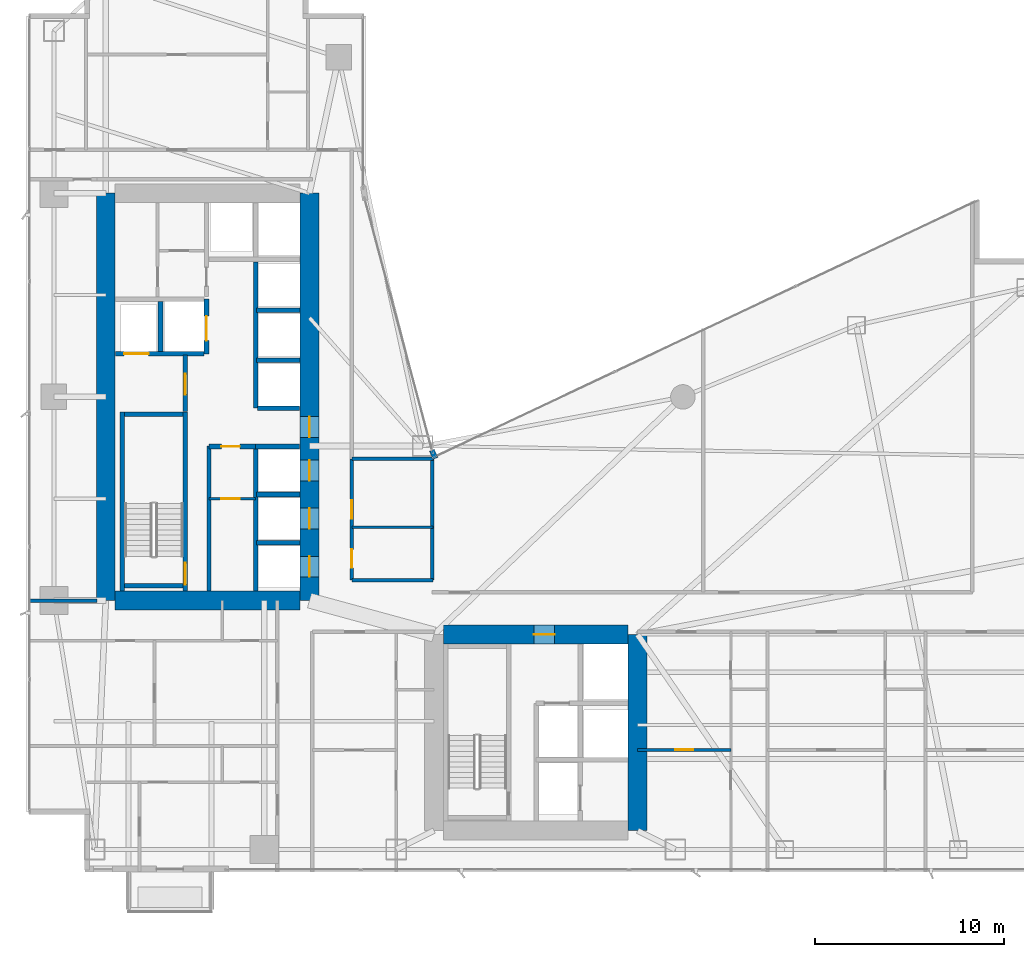
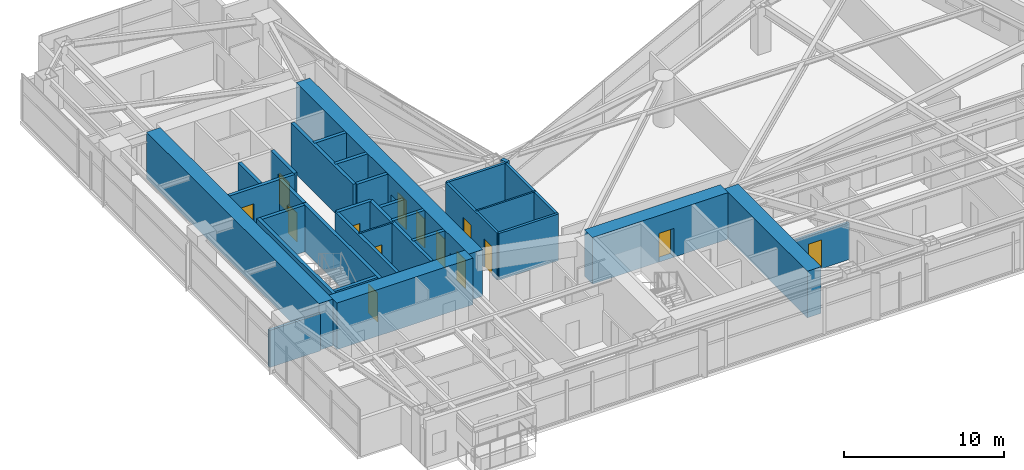
# One storey, part 23 of 30: 32 walls, 14 doors, 14 openings.
"""IFC4 building model written with IfcOpenShell, lengths in metres."""

from ifc_helpers import new_model, si_unit, direction, frame, frame_2d, origin, place, context, subcontext, project, spatial, rectangle, extrude, material, layer, layer_set, type_object, element, fill, save


model = new_model("IFC4")

# Units and contexts
model_context = context("Model", 3, precision=1e-05, world=origin(), true_north=direction((0.0, 1.0)))
body_context = subcontext(model_context, "Body", "Model", "MODEL_VIEW")
ifc_project = project(units=[si_unit("LENGTHUNIT", "METRE"), si_unit("AREAUNIT", "SQUARE_METRE"), si_unit("VOLUMEUNIT", "CUBIC_METRE"), si_unit("PLANEANGLEUNIT", "RADIAN"), si_unit("MASSUNIT", "GRAM", prefix="KILO")], contexts=[model_context])

# Site, building, storey
site_placement = place(None, origin())
site = spatial("IfcSite", under=ifc_project, at=site_placement, CompositionType="ELEMENT")
building_placement = place(site_placement, origin())
building = spatial("IfcBuilding", under=site, at=building_placement, Name="Calvorn Quay Hotel", CompositionType="ELEMENT")
storey_placement = place(building_placement, frame((0.0, 0.0, 27.0)))
storey = spatial("IfcBuildingStorey", under=building, at=storey_placement, Name="L05", CompositionType="ELEMENT", Elevation=27.0)

# Wall
ifc_material_1 = material(Name="Concrete C60", Category="concrete")
ifc_layer_1 = layer(ifc_material_1, 1.0)
ifc_layer_set_1 = layer_set([ifc_layer_1], Name="WL-CORE-1000")
wall_type_1 = type_object("IfcWallType", Name="WL-CORE-1000", PredefinedType="SHEAR", material=ifc_layer_set_1)
wall_1_placement = place(storey_placement, frame((4.199951171875, 16.800048828125, 0.0), z_axis=(0.0, 0.0, 1.0), x_axis=(0.0, 1.0, 0.0)))
element("IfcWall", 1, at=wall_1_placement, inside=storey, type_object=wall_type_1, Name="West Core Shear Wall W (L05)", PredefinedType="SHEAR", context=body_context, shape_type="SweptSolid", body=[
    extrude(rectangle(XDim=21.599853515625, YDim=1.0, at=frame_2d((10.7998046875, 0.0))), origin(), (0.0, 0.0, 1.0), 3.56005859375),
])

# Wall, openings, doors
wall_2_placement = place(storey_placement, frame((15.0, 16.800048828125, 0.0), z_axis=(0.0, 0.0, 1.0), x_axis=(0.0, 1.0, 0.0)))
wall_2 = element("IfcWall", 2, at=wall_2_placement, inside=storey, type_object=wall_type_1, Name="West Core Shear Wall E (L05)", PredefinedType="SHEAR", context=body_context, shape_type="SweptSolid", body=[
    extrude(rectangle(XDim=21.599853515625, YDim=1.0, at=frame_2d((10.7998046875, 0.0))), origin(), (0.0, 0.0, 1.0), 3.56005859375),
])
opening_1_placement = place(wall_2_placement, frame((8.64990234375, 0.0, 0.0)))
opening_1 = element("IfcOpeningElement", 3, at=opening_1_placement, cuts=wall_2, Name="Opening D-L05-CW1", PredefinedType="OPENING", context=body_context, shape_type="SweptSolid", body=[
    extrude(rectangle(XDim=1.10009765625, YDim=2.199951171875, at=frame_2d((0.550048828125, 1.10009765625))), frame((0.0, 0.510009765625, 0.0), z_axis=(0.0, -1.0, 0.0), x_axis=(1.0, 0.0, 0.0)), (0.0, 0.0, 1.0), 1.02001953125),
])
opening_2_placement = place(wall_2_placement, frame((1.25, 0.0, 0.0)))
opening_2 = element("IfcOpeningElement", 4, at=opening_2_placement, cuts=wall_2, Name="Opening LD-L05-L1", PredefinedType="OPENING", context=body_context, shape_type="SweptSolid", body=[
    extrude(rectangle(XDim=1.10009765625, YDim=2.199951171875, at=frame_2d((0.550048828125, 1.10009765625))), frame((0.0, 0.510009765625, 0.0), z_axis=(0.0, -1.0, 0.0), x_axis=(1.0, 0.0, 0.0)), (0.0, 0.0, 1.0), 1.02001953125),
])
opening_3_placement = place(wall_2_placement, frame((3.800048828125, 0.0, 0.0)))
opening_3 = element("IfcOpeningElement", 5, at=opening_3_placement, cuts=wall_2, Name="Opening LD-L05-L2", PredefinedType="OPENING", context=body_context, shape_type="SweptSolid", body=[
    extrude(rectangle(XDim=1.10009765625, YDim=2.199951171875, at=frame_2d((0.550048828125, 1.10009765625))), frame((0.0, 0.510009765625, 0.0), z_axis=(0.0, -1.0, 0.0), x_axis=(1.0, 0.0, 0.0)), (0.0, 0.0, 1.0), 1.02001953125),
])
opening_4_placement = place(wall_2_placement, frame((6.35009765625, 0.0, 0.0)))
opening_4 = element("IfcOpeningElement", 6, at=opening_4_placement, cuts=wall_2, Name="Opening LD-L05-L3", PredefinedType="OPENING", context=body_context, shape_type="SweptSolid", body=[
    extrude(rectangle(XDim=1.10009765625, YDim=2.199951171875, at=frame_2d((0.550048828125, 1.10009765625))), frame((0.0, 0.510009765625, 0.0), z_axis=(0.0, -1.0, 0.0), x_axis=(1.0, 0.0, 0.0)), (0.0, 0.0, 1.0), 1.02001953125),
])
ifc_material_2 = material(Name="Smoke-Sealed Steel Class A Fire Door", Category="steel")
door_type_1 = type_object("IfcDoorType", Name="DR-FFLOBBY-1100", OperationType="NOTDEFINED", PredefinedType="DOOR", material=ifc_material_2)
door_1_placement = place(opening_1_placement, origin())
door_1 = element("IfcDoor", 7, at=door_1_placement, inside=storey, type_object=door_type_1, Name="West Core Vestibule Fire Door (L05)", OperationType="SINGLE_SWING_RIGHT", OverallHeight=2.199951171875, OverallWidth=1.10009765625, PredefinedType="DOOR", context=body_context, shape_type="SweptSolid", body=[
    extrude(rectangle(XDim=1.10009765625, YDim=2.199951171875, at=frame_2d((0.550048828125, 1.10009765625))), frame((0.0, 0.02490234375, 0.0), z_axis=(0.0, -1.0, 0.0), x_axis=(1.0, 0.0, 0.0)), (0.0, 0.0, 1.0), 0.050048828125),
])
fill(opening_1, door_1)
ifc_material_3 = material(Name="Brushed Stainless Steel Sliding Lift Landing Door", Category="steel")
door_type_2 = type_object("IfcDoorType", Name="DR-LIFT-PASS-1100", OperationType="NOTDEFINED", PredefinedType="DOOR", material=ifc_material_3)
door_2_placement = place(opening_2_placement, origin())
door_2 = element("IfcDoor", 8, at=door_2_placement, inside=storey, type_object=door_type_2, Name="Low-Rise Lift PL-L1 Landing Door (L05)", OperationType="DOUBLE_DOOR_SLIDING", OverallHeight=2.199951171875, OverallWidth=1.10009765625, PredefinedType="DOOR", context=body_context, shape_type="SweptSolid", body=[
    extrude(rectangle(XDim=1.10009765625, YDim=2.199951171875, at=frame_2d((0.550048828125, 1.10009765625))), frame((0.0, 0.02490234375, 0.0), z_axis=(0.0, -1.0, 0.0), x_axis=(1.0, 0.0, 0.0)), (0.0, 0.0, 1.0), 0.050048828125),
])
fill(opening_2, door_2)
door_3_placement = place(opening_3_placement, origin())
door_3 = element("IfcDoor", 9, at=door_3_placement, inside=storey, type_object=door_type_2, Name="Low-Rise Lift PL-L2 Landing Door (L05)", OperationType="DOUBLE_DOOR_SLIDING", OverallHeight=2.199951171875, OverallWidth=1.10009765625, PredefinedType="DOOR", context=body_context, shape_type="SweptSolid", body=[
    extrude(rectangle(XDim=1.10009765625, YDim=2.199951171875, at=frame_2d((0.550048828125, 1.10009765625))), frame((0.0, 0.02490234375, 0.0), z_axis=(0.0, -1.0, 0.0), x_axis=(1.0, 0.0, 0.0)), (0.0, 0.0, 1.0), 0.050048828125),
])
fill(opening_3, door_3)
door_4_placement = place(opening_4_placement, origin())
door_4 = element("IfcDoor", 10, at=door_4_placement, inside=storey, type_object=door_type_2, Name="Low-Rise Lift PL-L3 Landing Door (L05)", OperationType="DOUBLE_DOOR_SLIDING", OverallHeight=2.199951171875, OverallWidth=1.10009765625, PredefinedType="DOOR", context=body_context, shape_type="SweptSolid", body=[
    extrude(rectangle(XDim=1.10009765625, YDim=2.199951171875, at=frame_2d((0.550048828125, 1.10009765625))), frame((0.0, 0.02490234375, 0.0), z_axis=(0.0, -1.0, 0.0), x_axis=(1.0, 0.0, 0.0)), (0.0, 0.0, 1.0), 0.050048828125),
])
fill(opening_4, door_4)

# Walls
wall_3_placement = place(storey_placement, frame((4.699951171875, 16.800048828125, 0.0), z_axis=(0.0, 0.0, 1.0), x_axis=(1.0, 0.0, 0.0)))
element("IfcWall", 11, at=wall_3_placement, inside=storey, type_object=wall_type_1, Name="West Core Shear Wall S (L05)", PredefinedType="SHEAR", context=body_context, shape_type="SweptSolid", body=[
    extrude(rectangle(XDim=9.800048828125, YDim=1.0, at=frame_2d((4.89990234375, 0.0))), origin(), (0.0, 0.0, 1.0), 3.56005859375),
])
wall_4_placement = place(storey_placement, frame((32.39990234375, 4.60009765625, 0.0), z_axis=(0.0, 0.0, 1.0), x_axis=(0.0, 1.0, 0.0)))
element("IfcWall", 12, at=wall_4_placement, inside=storey, type_object=wall_type_1, Name="East Core Shear Wall E (L05)", PredefinedType="SHEAR", context=body_context, shape_type="SweptSolid", body=[
    extrude(rectangle(XDim=10.39990234375, YDim=1.0, at=frame_2d((5.199951171875, 0.0))), origin(), (0.0, 0.0, 1.0), 3.56005859375),
])

# Wall, opening, door
wall_5_placement = place(storey_placement, frame((22.10009765625, 15.0, 0.0), z_axis=(0.0, 0.0, 1.0), x_axis=(1.0, 0.0, 0.0)))
wall_5 = element("IfcWall", 13, at=wall_5_placement, inside=storey, type_object=wall_type_1, Name="East Core Shear Wall N (L05)", PredefinedType="SHEAR", context=body_context, shape_type="SweptSolid", body=[
    extrude(rectangle(XDim=9.7998046875, YDim=1.0, at=frame_2d((4.89990234375, 0.0))), origin(), (0.0, 0.0, 1.0), 3.56005859375),
])
opening_5_placement = place(wall_5_placement, frame((4.800048828125, 0.0, 0.0)))
opening_5 = element("IfcOpeningElement", 14, at=opening_5_placement, cuts=wall_5, Name="Opening D-L05-FLE", PredefinedType="OPENING", context=body_context, shape_type="SweptSolid", body=[
    extrude(rectangle(XDim=1.10009765625, YDim=2.199951171875, at=frame_2d((0.550048828125, 1.10009765625))), frame((0.0, 0.510009765625, 0.0), z_axis=(0.0, -1.0, 0.0), x_axis=(1.0, 0.0, 0.0)), (0.0, 0.0, 1.0), 1.02001953125),
])
door_5_placement = place(opening_5_placement, origin())
door_5 = element("IfcDoor", 15, at=door_5_placement, inside=storey, type_object=door_type_1, Name="East Firefighting Lobby Fire Door (L05)", OperationType="SINGLE_SWING_LEFT", OverallHeight=2.199951171875, OverallWidth=1.10009765625, PredefinedType="DOOR", context=body_context, shape_type="SweptSolid", body=[
    extrude(rectangle(XDim=1.10009765625, YDim=2.199951171875, at=frame_2d((0.550048828125, 1.10009765625))), frame((0.0, 0.02490234375, 0.0), z_axis=(0.0, -1.0, 0.0), x_axis=(1.0, 0.0, 0.0)), (0.0, 0.0, 1.0), 0.050048828125),
])
fill(opening_5, door_5)

# Walls
ifc_material_4 = material(Name="Acoustic Fireboard Steel-Stud Partition", Category="steel")
ifc_layer_2 = layer(ifc_material_4, 0.179931640625)
ifc_layer_set_2 = layer_set([ifc_layer_2], Name="WL-CORR-FIRE-180")
wall_type_2 = type_object("IfcWallType", Name="WL-CORR-FIRE-180", PredefinedType="PARTITIONING", material=ifc_layer_set_2)
wall_6_placement = place(storey_placement, frame((0.080078125, 16.800048828125, 0.0), z_axis=(0.0, 0.0, 1.0), x_axis=(1.0, 0.0, 0.0)))
element("IfcWall", 16, at=wall_6_placement, inside=storey, type_object=wall_type_2, Name="Partition Wall L05-WL-WBAY-S-WALL", PredefinedType="PARTITIONING", context=body_context, shape_type="SweptSolid", body=[
    extrude(rectangle(XDim=3.64990234375, YDim=0.179931640625, at=frame_2d((1.824951171875, 0.0))), origin(), (0.0, 0.0, 1.0), 2.840087890625),
])
wall_7_placement = place(storey_placement, frame((17.25, 17.8798828125, 0.0), z_axis=(0.0, 0.0, 1.0), x_axis=(1.0, 0.0, 0.0)))
element("IfcWall", 17, at=wall_7_placement, inside=storey, type_object=wall_type_2, Name="Partition Wall L05-WL-HK-S", PredefinedType="PARTITIONING", context=body_context, shape_type="SweptSolid", body=[
    extrude(rectangle(XDim=4.300048828125, YDim=0.179931640625, at=frame_2d((2.14990234375, 0.0))), origin(), (0.0, 0.0, 1.0), 3.56005859375),
])
wall_8_placement = place(storey_placement, frame((17.25, 24.320068359375, 0.0), z_axis=(0.0, 0.0, 1.0), x_axis=(1.0, 0.0, 0.0)))
element("IfcWall", 18, at=wall_8_placement, inside=storey, type_object=wall_type_2, Name="Partition Wall L05-WL-HK-N", PredefinedType="PARTITIONING", context=body_context, shape_type="SweptSolid", body=[
    extrude(rectangle(XDim=4.35009765625, YDim=0.179931640625, at=frame_2d((2.175048828125, 0.0))), origin(), (0.0, 0.0, 1.0), 3.56005859375),
])
wall_9_placement = place(storey_placement, frame((21.5, 17.8798828125, 0.0), z_axis=(0.0, 0.0, 1.0), x_axis=(0.0, 1.0, 0.0)))
element("IfcWall", 19, at=wall_9_placement, inside=storey, type_object=wall_type_2, Name="Partition Wall L05-WL-HK-E", PredefinedType="PARTITIONING", context=body_context, shape_type="SweptSolid", body=[
    extrude(rectangle(XDim=6.440185546875, YDim=0.179931640625, at=frame_2d((3.22021484375, 0.0))), origin(), (0.0, 0.0, 1.0), 3.56005859375),
])

# Wall, openings, doors
wall_10_placement = place(storey_placement, frame((17.25, 17.8798828125, 0.0), z_axis=(0.0, 0.0, 1.0), x_axis=(0.0, 1.0, 0.0)))
wall_10 = element("IfcWall", 20, at=wall_10_placement, inside=storey, type_object=wall_type_2, Name="Partition Wall L05-WL-HK-W", PredefinedType="PARTITIONING", context=body_context, shape_type="SweptSolid", body=[
    extrude(rectangle(XDim=6.440185546875, YDim=0.179931640625, at=frame_2d((3.22021484375, 0.0))), origin(), (0.0, 0.0, 1.0), 3.56005859375),
])
opening_6_placement = place(wall_10_placement, frame((0.64990234375, 0.0, 0.0)))
opening_6 = element("IfcOpeningElement", 21, at=opening_6_placement, cuts=wall_10, Name="Opening D-L05-HK", PredefinedType="OPENING", context=body_context, shape_type="SweptSolid", body=[
    extrude(rectangle(XDim=0.97998046875, YDim=2.14990234375, at=frame_2d((0.489990234375, 1.074951171875))), frame((0.0, 0.099853515625, 0.0), z_axis=(0.0, -1.0, 0.0), x_axis=(1.0, 0.0, 0.0)), (0.0, 0.0, 1.0), 0.199951171875),
])
opening_7_placement = place(wall_10_placement, frame((3.27001953125, 0.0, 0.0)))
opening_7 = element("IfcOpeningElement", 22, at=opening_7_placement, cuts=wall_10, Name="Opening D-L05-NCP", PredefinedType="OPENING", context=body_context, shape_type="SweptSolid", body=[
    extrude(rectangle(XDim=0.9599609375, YDim=2.199951171875, at=frame_2d((0.47998046875, 1.10009765625))), frame((0.0, 0.099853515625, 0.0), z_axis=(0.0, -1.0, 0.0), x_axis=(1.0, 0.0, 0.0)), (0.0, 0.0, 1.0), 0.199951171875),
])
ifc_material_5 = material(Name="Painted Steel Housekeeping/Riser Fire Door", Category="steel")
door_type_3 = type_object("IfcDoorType", Name="DR-SERVICE-980", OperationType="NOTDEFINED", PredefinedType="DOOR", material=ifc_material_5)
door_6_placement = place(opening_6_placement, origin())
door_6 = element("IfcDoor", 23, at=door_6_placement, inside=storey, type_object=door_type_3, Name="Floor Housekeeping Door (L05)", OperationType="SINGLE_SWING_LEFT", OverallHeight=2.14990234375, OverallWidth=0.97998046875, PredefinedType="DOOR", context=body_context, shape_type="SweptSolid", body=[
    extrude(rectangle(XDim=0.97998046875, YDim=2.14990234375, at=frame_2d((0.489990234375, 1.074951171875))), frame((0.0, 0.02490234375, 0.0), z_axis=(0.0, -1.0, 0.0), x_axis=(1.0, 0.0, 0.0)), (0.0, 0.0, 1.0), 0.050048828125),
])
fill(opening_6, door_6)
ifc_material_6 = material(Name="Solid Timber Internal Suite Door", Category="wood")
door_type_4 = type_object("IfcDoorType", Name="DR-SUITE-INT-960", OperationType="NOTDEFINED", PredefinedType="DOOR", material=ifc_material_6)
door_7_placement = place(opening_7_placement, origin())
door_7 = element("IfcDoor", 24, at=door_7_placement, inside=storey, type_object=door_type_4, Name="Reading Alcove Door (L05)", OperationType="SINGLE_SWING_RIGHT", OverallHeight=2.199951171875, OverallWidth=0.9599609375, PredefinedType="DOOR", context=body_context, shape_type="SweptSolid", body=[
    extrude(rectangle(XDim=0.9599609375, YDim=2.199951171875, at=frame_2d((0.47998046875, 1.10009765625))), frame((0.0, 0.02490234375, 0.0), z_axis=(0.0, -1.0, 0.0), x_axis=(1.0, 0.0, 0.0)), (0.0, 0.0, 1.0), 0.050048828125),
])
fill(opening_7, door_7)

# Wall, opening, door
ifc_material_7 = material(Name="Moisture-Resistant Tile-Backed Partition")
ifc_layer_3 = layer(ifc_material_7, 0.125)
ifc_layer_set_3 = layer_set([ifc_layer_3], Name="WL-ENSUITE-125")
wall_type_3 = type_object("IfcWallType", Name="WL-ENSUITE-125", PredefinedType="PARTITIONING", material=ifc_layer_set_3)
wall_11_placement = place(storey_placement, frame((9.679931640625, 22.199951171875, 0.0), z_axis=(0.0, 0.0, 1.0), x_axis=(1.0, 0.0, 0.0)))
wall_11 = element("IfcWall", 25, at=wall_11_placement, inside=storey, type_object=wall_type_3, Name="Partition Wall L05-WL-CWW-SER-V", PredefinedType="PARTITIONING", context=body_context, shape_type="SweptSolid", body=[
    extrude(rectangle(XDim=2.469970703125, YDim=0.125, at=frame_2d((1.23486328125, 0.0))), origin(), (0.0, 0.0, 1.0), 3.56005859375),
])
opening_8_placement = place(wall_11_placement, frame((0.64990234375, 0.0, 0.0)))
opening_8 = element("IfcOpeningElement", 26, at=opening_8_placement, cuts=wall_11, Name="Opening D-L05-CSV", PredefinedType="OPENING", context=body_context, shape_type="SweptSolid", body=[
    extrude(rectangle(XDim=0.97998046875, YDim=2.14990234375, at=frame_2d((0.489990234375, 1.074951171875))), frame((0.0, 0.072509765625, 0.0), z_axis=(0.0, -1.0, 0.0), x_axis=(1.0, 0.0, 0.0)), (0.0, 0.0, 1.0), 0.14501953125),
])
door_8_placement = place(opening_8_placement, origin())
door_8 = element("IfcDoor", 27, at=door_8_placement, inside=storey, type_object=door_type_3, Name="Core Linen Closet Door (L05)", OperationType="SINGLE_SWING_RIGHT", OverallHeight=2.14990234375, OverallWidth=0.97998046875, PredefinedType="DOOR", context=body_context, shape_type="SweptSolid", body=[
    extrude(rectangle(XDim=0.97998046875, YDim=2.14990234375, at=frame_2d((0.489990234375, 1.074951171875))), frame((0.0, 0.02490234375, 0.0), z_axis=(0.0, -1.0, 0.0), x_axis=(1.0, 0.0, 0.0)), (0.0, 0.0, 1.0), 0.050048828125),
])
fill(opening_8, door_8)

# Walls
wall_12_placement = place(storey_placement, frame((17.25, 20.679931640625, 0.0), z_axis=(0.0, 0.0, 1.0), x_axis=(1.0, 0.0, 0.0)))
element("IfcWall", 28, at=wall_12_placement, inside=storey, type_object=wall_type_3, Name="Partition Wall L05-WL-HK-M", PredefinedType="PARTITIONING", context=body_context, shape_type="SweptSolid", body=[
    extrude(rectangle(XDim=4.300048828125, YDim=0.125, at=frame_2d((2.14990234375, 0.0))), origin(), (0.0, 0.0, 1.0), 3.56005859375),
])
ifc_material_8 = material(Name="Concrete C40", Category="concrete")
ifc_layer_4 = layer(ifc_material_8, 0.320068359375)
ifc_layer_set_4 = layer_set([ifc_layer_4], Name="WL-EXT-SPANDREL-320")
wall_type_4 = type_object("IfcWallType", Name="WL-EXT-SPANDREL-320", PredefinedType="SOLIDWALL", material=ifc_layer_set_4)
wall_13_placement = place(storey_placement, frame((21.679931640625, 24.340087890625, 0.0), z_axis=(0.0, 0.0, 1.0), x_axis=(-0.40758134973, 0.913168901875, 0.0)))
element("IfcWall", 29, at=wall_13_placement, inside=storey, type_object=wall_type_4, Name="Inner Court Corner Pier L05-ICJ1", PredefinedType="SOLIDWALL", context=body_context, shape_type="SweptSolid", body=[
    extrude(rectangle(XDim=0.470703125, YDim=0.280029296875, at=frame_2d((0.2353515625, 0.0))), origin(), (0.0, 0.0, 1.0), 3.56005859375),
])

# Wall, opening, door
ifc_material_9 = material(Name="Double-Stud Acoustic Gypsum Partition")
ifc_layer_5 = layer(ifc_material_9, 0.159912109375)
ifc_layer_set_5 = layer_set([ifc_layer_5], Name="WL-INTERSUITE-160")
wall_type_5 = type_object("IfcWallType", Name="WL-INTERSUITE-160", PredefinedType="PARTITIONING", material=ifc_layer_set_5)
wall_14_placement = place(storey_placement, frame((32.39990234375, 8.8798828125, 0.0), z_axis=(0.0, 0.0, 1.0), x_axis=(1.0, 0.0, 0.0)))
wall_14 = element("IfcWall", 30, at=wall_14_placement, inside=storey, type_object=wall_type_5, Name="Partition Wall L05-WL-U05-MSP", PredefinedType="PARTITIONING", context=body_context, shape_type="SweptSolid", body=[
    extrude(rectangle(XDim=4.9501953125, YDim=0.159912109375, at=frame_2d((2.47509765625, 0.0))), origin(), (0.0, 0.0, 1.0), 2.840087890625),
])
opening_9_placement = place(wall_14_placement, frame((2.0, 0.0, 0.0)))
opening_9 = element("IfcOpeningElement", 31, at=opening_9_placement, cuts=wall_14, Name="Opening D-L05-M05", PredefinedType="OPENING", context=body_context, shape_type="SweptSolid", body=[
    extrude(rectangle(XDim=0.9599609375, YDim=2.199951171875, at=frame_2d((0.47998046875, 1.10009765625))), frame((0.0, 0.08984375, 0.0), z_axis=(0.0, -1.0, 0.0), x_axis=(1.0, 0.0, 0.0)), (0.0, 0.0, 1.0), 0.179931640625),
])
door_9_placement = place(opening_9_placement, origin())
door_9 = element("IfcDoor", 32, at=door_9_placement, inside=storey, type_object=door_type_4, Name="Suite Bedroom Door 05", OperationType="SINGLE_SWING_LEFT", OverallHeight=2.199951171875, OverallWidth=0.9599609375, PredefinedType="DOOR", context=body_context, shape_type="SweptSolid", body=[
    extrude(rectangle(XDim=0.9599609375, YDim=2.199951171875, at=frame_2d((0.47998046875, 1.10009765625))), frame((0.0, 0.02490234375, 0.0), z_axis=(0.0, -1.0, 0.0), x_axis=(1.0, 0.0, 0.0)), (0.0, 0.0, 1.0), 0.050048828125),
])
fill(opening_9, door_9)

# Walls
ifc_material_10 = material(Name="Autoclaved Aerated Masonry Block", Category="masonry")
ifc_layer_6 = layer(ifc_material_10, 0.219970703125)
ifc_layer_set_6 = layer_set([ifc_layer_6], Name="WL-LOBBY-FIRE-220")
wall_type_6 = type_object("IfcWallType", Name="WL-LOBBY-FIRE-220", PredefinedType="SOLIDWALL", material=ifc_layer_set_6)
wall_15_placement = place(storey_placement, frame((9.679931640625, 17.320068359375, 0.0), z_axis=(0.0, 0.0, 1.0), x_axis=(0.0, 1.0, 0.0)))
element("IfcWall", 33, at=wall_15_placement, inside=storey, type_object=wall_type_6, Name="Partition Wall L05-WL-CWW-STW-HALL-E", PredefinedType="SOLIDWALL", context=body_context, shape_type="SweptSolid", body=[
    extrude(rectangle(XDim=7.679931640625, YDim=0.219970703125, at=frame_2d((3.83984375, 0.0))), origin(), (0.0, 0.0, 1.0), 3.56005859375),
])
ifc_material_11 = material(Name="Concrete C40", Category="concrete")
ifc_layer_7 = layer(ifc_material_11, 0.239990234375)
ifc_layer_set_7 = layer_set([ifc_layer_7], Name="WL-SHAFT-240")
wall_type_7 = type_object("IfcWallType", Name="WL-SHAFT-240", PredefinedType="SOLIDWALL", material=ifc_layer_set_7)
wall_16_placement = place(storey_placement, frame((5.080078125, 17.300048828125, 0.0), z_axis=(0.0, 0.0, 1.0), x_axis=(0.0, 1.0, 0.0)))
element("IfcWall", 34, at=wall_16_placement, inside=storey, type_object=wall_type_7, Name="Stair STW Shaft Wall W (L05)", PredefinedType="SOLIDWALL", context=body_context, shape_type="SweptSolid", body=[
    extrude(rectangle(XDim=9.489990234375, YDim=0.239990234375, at=frame_2d((4.7451171875, 0.0))), origin(), (0.0, 0.0, 1.0), 3.56005859375),
])

# Wall, opening, door
wall_17_placement = place(storey_placement, frame((8.419921875, 17.300048828125, 0.0), z_axis=(0.0, 0.0, 1.0), x_axis=(0.0, 1.0, 0.0)))
wall_17 = element("IfcWall", 35, at=wall_17_placement, inside=storey, type_object=wall_type_7, Name="Stair STW Shaft Wall E (L05)", PredefinedType="SOLIDWALL", context=body_context, shape_type="SweptSolid", body=[
    extrude(rectangle(XDim=9.489990234375, YDim=0.239990234375, at=frame_2d((4.7451171875, 0.0))), origin(), (0.0, 0.0, 1.0), 3.56005859375),
])
opening_10_placement = place(wall_17_placement, frame((0.35009765625, 0.0, 0.0)))
opening_10 = element("IfcOpeningElement", 36, at=opening_10_placement, cuts=wall_17, Name="Opening D-L05-STW", PredefinedType="OPENING", context=body_context, shape_type="SweptSolid", body=[
    extrude(rectangle(XDim=1.14990234375, YDim=2.199951171875, at=frame_2d((0.574951171875, 1.10009765625))), frame((0.0, 0.1298828125, 0.0), z_axis=(0.0, -1.0, 0.0), x_axis=(1.0, 0.0, 0.0)), (0.0, 0.0, 1.0), 0.260009765625),
])
ifc_material_12 = material(Name="Galvanised Steel Class A Fire Door", Category="steel")
door_type_5 = type_object("IfcDoorType", Name="DR-STAIR-SMOKE-1150", OperationType="NOTDEFINED", PredefinedType="DOOR", material=ifc_material_12)
door_10_placement = place(opening_10_placement, origin())
door_10 = element("IfcDoor", 37, at=door_10_placement, inside=storey, type_object=door_type_5, Name="Stair ST-W Fire Door (L05)", OperationType="SINGLE_SWING_LEFT", OverallHeight=2.199951171875, OverallWidth=1.14990234375, PredefinedType="DOOR", context=body_context, shape_type="SweptSolid", body=[
    extrude(rectangle(XDim=1.14990234375, YDim=2.199951171875, at=frame_2d((0.574951171875, 1.10009765625))), frame((0.0, 0.02490234375, 0.0), z_axis=(0.0, -1.0, 0.0), x_axis=(1.0, 0.0, 0.0)), (0.0, 0.0, 1.0), 0.050048828125),
])
fill(opening_10, door_10)

# Walls
for number, where, z_axis, x_axis, name in (
    (38, (5.199951171875, 17.580078125, 0.0), (0.0, 0.0, 1.0), (1.0, 0.0, 0.0), "Stair STW Shaft Wall S (L05)"),
    (39, (5.199951171875, 26.669921875, 0.0), (0.0, 0.0, 1.0), (1.0, 0.0, 0.0), "Stair STW Shaft Wall N (L05)"),
):
    element("IfcWall", number, at=place(storey_placement, frame(where, z_axis=z_axis, x_axis=x_axis)), inside=storey, type_object=wall_type_7, Name=name, PredefinedType="SOLIDWALL", context=body_context, shape_type="SweptSolid", body=[
        extrude(rectangle(XDim=3.10009765625, YDim=0.239990234375, at=frame_2d((1.550048828125, 0.0))), origin(), (0.0, 0.0, 1.0), 3.56005859375),
    ])
for number, where, z_axis, x_axis, name in (
    (40, (12.179931640625, 19.875, 0.0), (0.0, 0.0, 1.0), (1.0, 0.0, 0.0), "Lift Hoistway Divider Wall PLL12 (L05)"),
    (41, (12.179931640625, 22.425048828125, 0.0), (0.0, 0.0, 1.0), (1.0, 0.0, 0.0), "Lift Hoistway Divider Wall PLL23 (L05)"),
    (42, (12.179931640625, 29.550048828125, 0.0), (0.0, 0.0, 1.0), (1.0, 0.0, 0.0), "Lift Hoistway Divider Wall PLM12 (L05)"),
    (43, (12.179931640625, 32.199951171875, 0.0), (0.0, 0.0, 1.0), (1.0, 0.0, 0.0), "Lift Hoistway Divider Wall PLM23 (L05)"),
):
    element("IfcWall", number, at=place(storey_placement, frame(where, z_axis=z_axis, x_axis=x_axis)), inside=storey, type_object=wall_type_7, Name=name, PredefinedType="SOLIDWALL", context=body_context, shape_type="SweptSolid", body=[
        extrude(rectangle(XDim=2.320068359375, YDim=0.239990234375, at=frame_2d((1.16015625, 0.0))), origin(), (0.0, 0.0, 1.0), 3.56005859375),
    ])

# Wall, opening, door
wall_18_placement = place(storey_placement, frame((8.419921875, 26.820068359375, 0.0), z_axis=(0.0, 0.0, 1.0), x_axis=(0.0, 1.0, 0.0)))
wall_18 = element("IfcWall", 44, at=wall_18_placement, inside=storey, type_object=wall_type_7, Name="Partition Wall L05-WL-CWW-FFL-E", PredefinedType="SOLIDWALL", context=body_context, shape_type="SweptSolid", body=[
    extrude(rectangle(XDim=3.0, YDim=0.239990234375, at=frame_2d((1.5, 0.0))), origin(), (0.0, 0.0, 1.0), 3.56005859375),
])
opening_11_placement = place(wall_18_placement, frame((0.89990234375, 0.0, 0.0)))
opening_11 = element("IfcOpeningElement", 45, at=opening_11_placement, cuts=wall_18, Name="Opening D-L05-FLW", PredefinedType="OPENING", context=body_context, shape_type="SweptSolid", body=[
    extrude(rectangle(XDim=1.10009765625, YDim=2.199951171875, at=frame_2d((0.550048828125, 1.10009765625))), frame((0.0, 0.1298828125, 0.0), z_axis=(0.0, -1.0, 0.0), x_axis=(1.0, 0.0, 0.0)), (0.0, 0.0, 1.0), 0.260009765625),
])
door_11_placement = place(opening_11_placement, origin())
door_11 = element("IfcDoor", 46, at=door_11_placement, inside=storey, type_object=door_type_1, Name="West Firefighting Lobby Fire Door (L05)", OperationType="SINGLE_SWING_RIGHT", OverallHeight=2.199951171875, OverallWidth=1.10009765625, PredefinedType="DOOR", context=body_context, shape_type="SweptSolid", body=[
    extrude(rectangle(XDim=1.10009765625, YDim=2.199951171875, at=frame_2d((0.550048828125, 1.10009765625))), frame((0.0, 0.02490234375, 0.0), z_axis=(0.0, -1.0, 0.0), x_axis=(1.0, 0.0, 0.0)), (0.0, 0.0, 1.0), 0.050048828125),
])
fill(opening_11, door_11)

wall_19_placement = place(storey_placement, frame((4.719970703125, 29.8798828125, 0.0), z_axis=(0.0, 0.0, 1.0), x_axis=(1.0, 0.0, 0.0)))
wall_19 = element("IfcWall", 47, at=wall_19_placement, inside=storey, type_object=wall_type_7, Name="Partition Wall L05-WL-CWW-FLW-S", PredefinedType="SOLIDWALL", context=body_context, shape_type="SweptSolid", body=[
    extrude(rectangle(XDim=4.699951171875, YDim=0.239990234375, at=frame_2d((2.35009765625, 0.0))), origin(), (0.0, 0.0, 1.0), 3.56005859375),
])
opening_12_placement = place(wall_19_placement, frame((0.449951171875, 0.0, 0.0)))
opening_12 = element("IfcOpeningElement", 48, at=opening_12_placement, cuts=wall_19, Name="Opening LD-L05-FLW1", PredefinedType="OPENING", context=body_context, shape_type="SweptSolid", body=[
    extrude(rectangle(XDim=1.300048828125, YDim=2.35009765625, at=frame_2d((0.64990234375, 1.175048828125))), frame((0.0, 0.1298828125, 0.0), z_axis=(0.0, -1.0, 0.0), x_axis=(1.0, 0.0, 0.0)), (0.0, 0.0, 1.0), 0.260009765625),
])
ifc_material_13 = material(Name="Champagne-Bronze Sliding Express Lift Landing Door")
door_type_6 = type_object("IfcDoorType", Name="DR-LIFT-SHUTTLE-1300", OperationType="NOTDEFINED", PredefinedType="DOOR", material=ifc_material_13)
door_12_placement = place(opening_12_placement, origin())
door_12 = element("IfcDoor", 49, at=door_12_placement, inside=storey, type_object=door_type_6, Name="Firefighting Lift FL-W1 Landing Door (L05)", OperationType="DOUBLE_DOOR_SLIDING", OverallHeight=2.35009765625, OverallWidth=1.300048828125, PredefinedType="DOOR", context=body_context, shape_type="SweptSolid", body=[
    extrude(rectangle(XDim=1.300048828125, YDim=2.35009765625, at=frame_2d((0.64990234375, 1.175048828125))), frame((0.0, 0.02490234375, 0.0), z_axis=(0.0, -1.0, 0.0), x_axis=(1.0, 0.0, 0.0)), (0.0, 0.0, 1.0), 0.050048828125),
])
fill(opening_12, door_12)

# Wall
wall_20_placement = place(storey_placement, frame((7.10009765625, 30.02001953125, 0.0), z_axis=(0.0, 0.0, 1.0), x_axis=(0.0, 1.0, 0.0)))
element("IfcWall", 50, at=wall_20_placement, inside=storey, type_object=wall_type_7, Name="Partition Wall L05-WL-CWW-FLW-DIV", PredefinedType="SOLIDWALL", context=body_context, shape_type="SweptSolid", body=[
    extrude(rectangle(XDim=2.6298828125, YDim=0.239990234375, at=frame_2d((1.31494140625, 0.0))), origin(), (0.0, 0.0, 1.0), 3.56005859375),
])

# Wall, opening, door
wall_21_placement = place(storey_placement, frame((9.5400390625, 29.8798828125, 0.0), z_axis=(0.0, 0.0, 1.0), x_axis=(0.0, 1.0, 0.0)))
wall_21 = element("IfcWall", 51, at=wall_21_placement, inside=storey, type_object=wall_type_7, Name="Partition Wall L05-WL-CWW-SLW-E", PredefinedType="SOLIDWALL", context=body_context, shape_type="SweptSolid", body=[
    extrude(rectangle(XDim=2.900146484375, YDim=0.239990234375, at=frame_2d((1.4501953125, 0.0))), origin(), (0.0, 0.0, 1.0), 3.56005859375),
])
opening_13_placement = place(wall_21_placement, frame((0.699951171875, 0.0, 0.0)))
opening_13 = element("IfcOpeningElement", 52, at=opening_13_placement, cuts=wall_21, Name="Opening LD-L05-SLW1", PredefinedType="OPENING", context=body_context, shape_type="SweptSolid", body=[
    extrude(rectangle(XDim=1.300048828125, YDim=2.35009765625, at=frame_2d((0.64990234375, 1.175048828125))), frame((0.0, 0.1298828125, 0.0), z_axis=(0.0, -1.0, 0.0), x_axis=(1.0, 0.0, 0.0)), (0.0, 0.0, 1.0), 0.260009765625),
])
door_13_placement = place(opening_13_placement, origin())
door_13 = element("IfcDoor", 53, at=door_13_placement, inside=storey, type_object=door_type_6, Name="Service Lift SL-W1 Landing Door (L05)", OperationType="DOUBLE_DOOR_SLIDING", OverallHeight=2.35009765625, OverallWidth=1.300048828125, PredefinedType="DOOR", context=body_context, shape_type="SweptSolid", body=[
    extrude(rectangle(XDim=1.300048828125, YDim=2.35009765625, at=frame_2d((0.64990234375, 1.175048828125))), frame((0.0, 0.02490234375, 0.0), z_axis=(0.0, -1.0, 0.0), x_axis=(1.0, 0.0, 0.0)), (0.0, 0.0, 1.0), 0.050048828125),
])
fill(opening_13, door_13)

# Wall
wall_22_placement = place(storey_placement, frame((12.14990234375, 17.320068359375, 0.0), z_axis=(0.0, 0.0, 1.0), x_axis=(0.0, 1.0, 0.0)))
element("IfcWall", 54, at=wall_22_placement, inside=storey, type_object=wall_type_7, Name="Partition Wall L05-WL-CWW-PLL-W", PredefinedType="SOLIDWALL", context=body_context, shape_type="SweptSolid", body=[
    extrude(rectangle(XDim=7.64990234375, YDim=0.239990234375, at=frame_2d((3.824951171875, 0.0))), origin(), (0.0, 0.0, 1.0), 3.56005859375),
])

# Wall, opening, door
wall_23_placement = place(storey_placement, frame((9.679931640625, 24.969970703125, 0.0), z_axis=(0.0, 0.0, 1.0), x_axis=(1.0, 0.0, 0.0)))
wall_23 = element("IfcWall", 55, at=wall_23_placement, inside=storey, type_object=wall_type_7, Name="Partition Wall L05-WL-CWW-SER-N", PredefinedType="SOLIDWALL", context=body_context, shape_type="SweptSolid", body=[
    extrude(rectangle(XDim=2.469970703125, YDim=0.239990234375, at=frame_2d((1.23486328125, 0.0))), origin(), (0.0, 0.0, 1.0), 3.56005859375),
])
opening_14_placement = place(wall_23_placement, frame((0.64990234375, 0.0, 0.0)))
opening_14 = element("IfcOpeningElement", 56, at=opening_14_placement, cuts=wall_23, Name="Opening D-L05-CSR", PredefinedType="OPENING", context=body_context, shape_type="SweptSolid", body=[
    extrude(rectangle(XDim=0.97998046875, YDim=2.14990234375, at=frame_2d((0.489990234375, 1.074951171875))), frame((0.0, 0.1298828125, 0.0), z_axis=(0.0, -1.0, 0.0), x_axis=(1.0, 0.0, 0.0)), (0.0, 0.0, 1.0), 0.260009765625),
])
door_14_placement = place(opening_14_placement, origin())
door_14 = element("IfcDoor", 57, at=door_14_placement, inside=storey, type_object=door_type_3, Name="Core Service Closet Door (L05)", OperationType="SINGLE_SWING_LEFT", OverallHeight=2.14990234375, OverallWidth=0.97998046875, PredefinedType="DOOR", context=body_context, shape_type="SweptSolid", body=[
    extrude(rectangle(XDim=0.97998046875, YDim=2.14990234375, at=frame_2d((0.489990234375, 1.074951171875))), frame((0.0, 0.02490234375, 0.0), z_axis=(0.0, -1.0, 0.0), x_axis=(1.0, 0.0, 0.0)), (0.0, 0.0, 1.0), 0.050048828125),
])
fill(opening_14, door_14)

# Walls
wall_24_placement = place(storey_placement, frame((12.14990234375, 24.969970703125, 0.0), z_axis=(0.0, 0.0, 1.0), x_axis=(1.0, 0.0, 0.0)))
element("IfcWall", 58, at=wall_24_placement, inside=storey, type_object=wall_type_7, Name="Partition Wall L05-WL-CWW-PLL-SHN", PredefinedType="SOLIDWALL", context=body_context, shape_type="SweptSolid", body=[
    extrude(rectangle(XDim=2.330078125, YDim=0.239990234375, at=frame_2d((1.1650390625, 0.0))), origin(), (0.0, 0.0, 1.0), 2.840087890625),
])
wall_25_placement = place(storey_placement, frame((12.25, 27.0, 0.0), z_axis=(0.0, 0.0, 1.0), x_axis=(1.0, 0.0, 0.0)))
element("IfcWall", 59, at=wall_25_placement, inside=storey, type_object=wall_type_7, Name="Partition Wall L05-WL-CWW-PLM-S", PredefinedType="SOLIDWALL", context=body_context, shape_type="SweptSolid", body=[
    extrude(rectangle(XDim=2.22998046875, YDim=0.239990234375, at=frame_2d((1.114990234375, 0.0))), origin(), (0.0, 0.0, 1.0), 3.56005859375),
])
wall_26_placement = place(storey_placement, frame((12.14990234375, 27.0, 0.0), z_axis=(0.0, 0.0, 1.0), x_axis=(0.0, 1.0, 0.0)))
element("IfcWall", 60, at=wall_26_placement, inside=storey, type_object=wall_type_7, Name="Partition Wall L05-WL-CWW-PLM-W", PredefinedType="SOLIDWALL", context=body_context, shape_type="SweptSolid", body=[
    extrude(rectangle(XDim=7.75, YDim=0.239990234375, at=frame_2d((3.875, 0.0))), origin(), (0.0, 0.0, 1.0), 3.56005859375),
])

save(model, "model.ifc")
